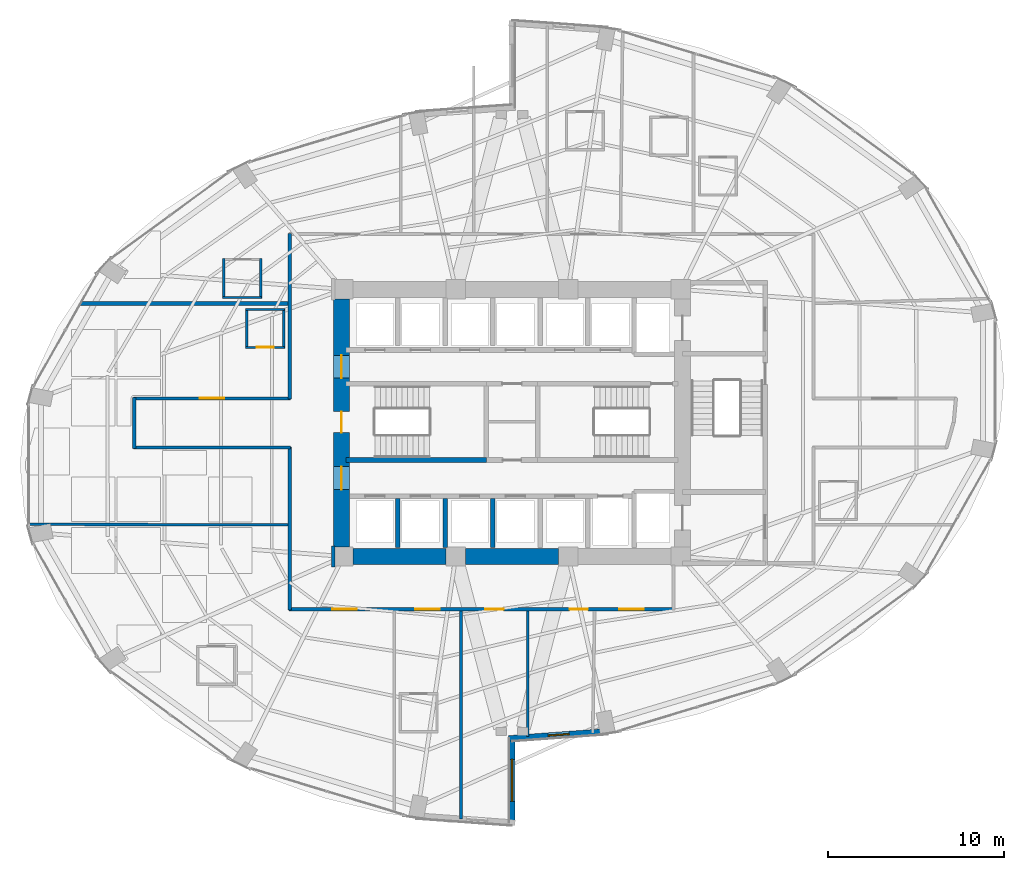
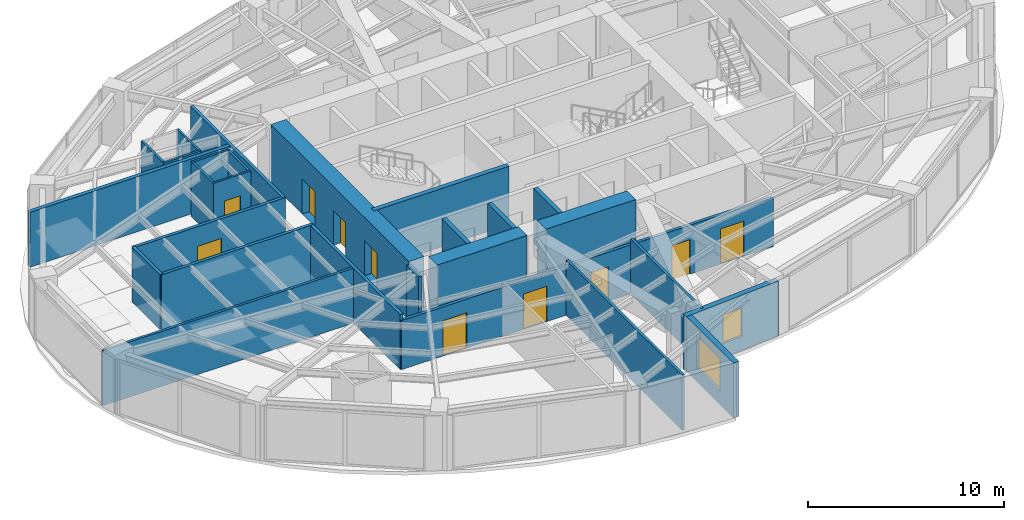
# One storey, part 20 of 25: 27 walls, 10 doors, 2 windows, 12 openings.
"""IFC4 building model written with IfcOpenShell, lengths in metres."""

from ifc_helpers import new_model, si_unit, direction, frame, frame_2d, origin, place, context, subcontext, project, spatial, rectangle, extrude, material, layer, layer_set, type_object, element, fill, save


model = new_model("IFC4")

# Units and contexts
model_context = context("Model", 3, precision=1e-05, world=origin(), true_north=direction((0.0, 1.0)))
body_context = subcontext(model_context, "Body", "Model", "MODEL_VIEW")
ifc_project = project(units=[si_unit("LENGTHUNIT", "METRE"), si_unit("AREAUNIT", "SQUARE_METRE"), si_unit("VOLUMEUNIT", "CUBIC_METRE"), si_unit("PLANEANGLEUNIT", "RADIAN"), si_unit("MASSUNIT", "GRAM", prefix="KILO")], contexts=[model_context])

# Site, building, storey
site_placement = place(None, origin())
site = spatial("IfcSite", under=ifc_project, at=site_placement, CompositionType="ELEMENT")
building_placement = place(site_placement, origin())
building = spatial("IfcBuilding", under=site, at=building_placement, Name="Lazwardi Medical Tower", CompositionType="ELEMENT")
storey_placement = place(building_placement, frame((0.0, 0.0, 32.49609375)))
storey = spatial("IfcBuildingStorey", under=building, at=storey_placement, Name="L07", CompositionType="ELEMENT", Elevation=32.49609375)

# Wall
ifc_material_1 = material(Name="Fire-rated gypsum board on steel stud", Category="steel")
ifc_layer_1 = layer(ifc_material_1, 0.179931640625)
ifc_layer_set_1 = layer_set([ifc_layer_1], Name="Fire-rated gypsum board on steel stud")
wall_type_1 = type_object("IfcWallType", Name="WL-COR-180", PredefinedType="PARTITIONING", material=ifc_layer_set_1)
wall_1_placement = place(storey_placement, frame((14.5, 26.56005859375, 0.0), z_axis=(0.0, 0.0, 1.0), x_axis=(0.0, 1.0, 0.0)))
element("IfcWall", 1, at=wall_1_placement, inside=storey, type_object=wall_type_1, Name="L07 Corridor partition 1", PredefinedType="PARTITIONING", context=body_context, shape_type="SweptSolid", body=[
    extrude(rectangle(XDim=2.8798828125, YDim=0.179931640625, at=frame_2d((1.43994140625, 0.0))), origin(), (0.0, 0.0, 1.0), 3.427978515625),
])

# Wall, opening, door
wall_2_placement = place(storey_placement, frame((14.4599609375, 29.39990234375, 0.0), z_axis=(0.0, 0.0, 1.0), x_axis=(1.0, 0.0, 0.0)))
wall_2 = element("IfcWall", 2, at=wall_2_placement, inside=storey, type_object=wall_type_1, Name="L07 Corridor partition 2", PredefinedType="PARTITIONING", context=body_context, shape_type="SweptSolid", body=[
    extrude(rectangle(XDim=8.929931640625, YDim=0.179931640625, at=frame_2d((4.46484375, 0.0))), origin(), (0.0, 0.0, 1.0), 3.427978515625),
])
opening_1_placement = place(wall_2_placement, frame((3.764892578125, 0.0, 0.0)))
opening_1 = element("IfcOpeningElement", 3, at=opening_1_placement, cuts=wall_2, Name="Opening D-L07-027", PredefinedType="OPENING", context=body_context, shape_type="SweptSolid", body=[
    extrude(rectangle(XDim=1.39990234375, YDim=2.199951171875, at=frame_2d((0.699951171875, 1.10009765625))), frame((0.0, 0.099853515625, 0.0), z_axis=(0.0, -1.0, 0.0), x_axis=(1.0, 0.0, 0.0)), (0.0, 0.0, 1.0), 0.199951171875),
])
ifc_material_2 = material(Name="Anti-microbial laminate hospital leaf")
door_type_1 = type_object("IfcDoorType", Name="DR-BED-1400", OperationType="NOTDEFINED", PredefinedType="DOOR", material=ifc_material_2)
door_1_placement = place(opening_1_placement, origin())
door_1 = element("IfcDoor", 4, at=door_1_placement, inside=storey, type_object=door_type_1, Name="L07 Inpatient Ward Door 13", OperationType="SINGLE_SWING_RIGHT", OverallHeight=2.199951171875, OverallWidth=1.39990234375, PredefinedType="DOOR", context=body_context, shape_type="SweptSolid", body=[
    extrude(rectangle(XDim=1.39990234375, YDim=2.199951171875, at=frame_2d((0.699951171875, 1.10009765625))), frame((0.0, 0.02490234375, 0.0), z_axis=(0.0, -1.0, 0.0), x_axis=(1.0, 0.0, 0.0)), (0.0, 0.0, 1.0), 0.050048828125),
])
fill(opening_1, door_1)

# Walls
wall_3_placement = place(storey_placement, frame((23.35009765625, 29.360107421875, 0.0), z_axis=(0.0, 0.0, 1.0), x_axis=(0.0, 1.0, 0.0)))
element("IfcWall", 5, at=wall_3_placement, inside=storey, type_object=wall_type_1, Name="L07 Corridor partition 3", PredefinedType="PARTITIONING", context=body_context, shape_type="SweptSolid", body=[
    extrude(rectangle(XDim=9.429931640625, YDim=0.179931640625, at=frame_2d((4.71484375, 0.0))), origin(), (0.0, 0.0, 1.0), 3.427978515625),
])
wall_4_placement = place(storey_placement, frame((25.830078125, 21.010009765625, 0.0), z_axis=(0.0, 0.0, 1.0), x_axis=(0.0, -1.0, 0.0)))
element("IfcWall", 6, at=wall_4_placement, inside=storey, type_object=wall_type_1, Name="L07 Corridor partition 13", PredefinedType="PARTITIONING", context=body_context, shape_type="SweptSolid", body=[
    extrude(rectangle(XDim=1.219970703125, YDim=0.179931640625, at=frame_2d((0.60986328125, 0.0))), origin(), (0.0, 0.0, 1.0), 3.427978515625),
])

# Wall, openings, doors
wall_5_placement = place(storey_placement, frame((45.239990234375, 17.39990234375, 0.0), z_axis=(0.0, 0.0, 1.0), x_axis=(-1.0, 0.0, 0.0)))
wall_5 = element("IfcWall", 7, at=wall_5_placement, inside=storey, type_object=wall_type_1, Name="L07 Corridor partition 15", PredefinedType="PARTITIONING", context=body_context, shape_type="SweptSolid", body=[
    extrude(rectangle(XDim=21.929931640625, YDim=0.179931640625, at=frame_2d((10.96484375, 0.0))), origin(), (0.0, 0.0, 1.0), 3.052978515625),
])
opening_2_placement = place(wall_5_placement, frame((18.075927734375, 0.0, 0.0)))
opening_2 = element("IfcOpeningElement", 8, at=opening_2_placement, cuts=wall_5, Name="Opening D-L07-015", PredefinedType="OPENING", context=body_context, shape_type="SweptSolid", body=[
    extrude(rectangle(XDim=1.39990234375, YDim=2.199951171875, at=frame_2d((0.699951171875, 1.10009765625))), frame((0.0, 0.099853515625, 0.0), z_axis=(0.0, -1.0, 0.0), x_axis=(1.0, 0.0, 0.0)), (0.0, 0.0, 1.0), 0.199951171875),
])
opening_3_placement = place(wall_5_placement, frame((13.340087890625, 0.0, 0.0)))
opening_3 = element("IfcOpeningElement", 9, at=opening_3_placement, cuts=wall_5, Name="Opening D-L07-016", PredefinedType="OPENING", context=body_context, shape_type="SweptSolid", body=[
    extrude(rectangle(XDim=1.39990234375, YDim=2.199951171875, at=frame_2d((0.699951171875, 1.10009765625))), frame((0.0, 0.099853515625, 0.0), z_axis=(0.0, -1.0, 0.0), x_axis=(1.0, 0.0, 0.0)), (0.0, 0.0, 1.0), 0.199951171875),
])
opening_4_placement = place(wall_5_placement, frame((9.715087890625, 0.0, 0.0)))
opening_4 = element("IfcOpeningElement", 10, at=opening_4_placement, cuts=wall_5, Name="Opening D-L07-017", PredefinedType="OPENING", context=body_context, shape_type="SweptSolid", body=[
    extrude(rectangle(XDim=1.050048828125, YDim=2.14990234375, at=frame_2d((0.52490234375, 1.074951171875))), frame((0.0, 0.099853515625, 0.0), z_axis=(0.0, -1.0, 0.0), x_axis=(1.0, 0.0, 0.0)), (0.0, 0.0, 1.0), 0.199951171875),
])
opening_5_placement = place(wall_5_placement, frame((4.91552734375, 0.0, 0.0)))
opening_5 = element("IfcOpeningElement", 11, at=opening_5_placement, cuts=wall_5, Name="Opening D-L07-018", PredefinedType="OPENING", context=body_context, shape_type="SweptSolid", body=[
    extrude(rectangle(XDim=1.050048828125, YDim=2.14990234375, at=frame_2d((0.52490234375, 1.074951171875))), frame((0.0, 0.099853515625, 0.0), z_axis=(0.0, -1.0, 0.0), x_axis=(1.0, 0.0, 0.0)), (0.0, 0.0, 1.0), 0.199951171875),
])
opening_6_placement = place(wall_5_placement, frame((1.7294921875, 0.0, 0.0)))
opening_6 = element("IfcOpeningElement", 12, at=opening_6_placement, cuts=wall_5, Name="Opening D-L07-019", PredefinedType="OPENING", context=body_context, shape_type="SweptSolid", body=[
    extrude(rectangle(XDim=1.39990234375, YDim=2.199951171875, at=frame_2d((0.699951171875, 1.10009765625))), frame((0.0, 0.099853515625, 0.0), z_axis=(0.0, -1.0, 0.0), x_axis=(1.0, 0.0, 0.0)), (0.0, 0.0, 1.0), 0.199951171875),
])
door_2_placement = place(opening_2_placement, origin())
door_2 = element("IfcDoor", 13, at=door_2_placement, inside=storey, type_object=door_type_1, Name="L07 Inpatient Ward Door 01", OperationType="SINGLE_SWING_LEFT", OverallHeight=2.199951171875, OverallWidth=1.39990234375, PredefinedType="DOOR", context=body_context, shape_type="SweptSolid", body=[
    extrude(rectangle(XDim=1.39990234375, YDim=2.199951171875, at=frame_2d((0.699951171875, 1.10009765625))), frame((0.0, 0.02490234375, 0.0), z_axis=(0.0, -1.0, 0.0), x_axis=(1.0, 0.0, 0.0)), (0.0, 0.0, 1.0), 0.050048828125),
])
fill(opening_2, door_2)
door_3_placement = place(opening_3_placement, origin())
door_3 = element("IfcDoor", 14, at=door_3_placement, inside=storey, type_object=door_type_1, Name="L07 Inpatient Ward Door 02", OperationType="SINGLE_SWING_LEFT", OverallHeight=2.199951171875, OverallWidth=1.39990234375, PredefinedType="DOOR", context=body_context, shape_type="SweptSolid", body=[
    extrude(rectangle(XDim=1.39990234375, YDim=2.199951171875, at=frame_2d((0.699951171875, 1.10009765625))), frame((0.0, 0.02490234375, 0.0), z_axis=(0.0, -1.0, 0.0), x_axis=(1.0, 0.0, 0.0)), (0.0, 0.0, 1.0), 0.050048828125),
])
fill(opening_3, door_3)
door_4_placement = place(opening_6_placement, origin())
door_4 = element("IfcDoor", 15, at=door_4_placement, inside=storey, type_object=door_type_1, Name="L07 Inpatient Ward Door 05", OperationType="SINGLE_SWING_RIGHT", OverallHeight=2.199951171875, OverallWidth=1.39990234375, PredefinedType="DOOR", context=body_context, shape_type="SweptSolid", body=[
    extrude(rectangle(XDim=1.39990234375, YDim=2.199951171875, at=frame_2d((0.699951171875, 1.10009765625))), frame((0.0, 0.02490234375, 0.0), z_axis=(0.0, -1.0, 0.0), x_axis=(1.0, 0.0, 0.0)), (0.0, 0.0, 1.0), 0.050048828125),
])
fill(opening_6, door_4)
door_type_2 = type_object("IfcDoorType", Name="DR-CLN-1050", OperationType="NOTDEFINED", PredefinedType="DOOR", material=ifc_material_2)
door_5_placement = place(opening_4_placement, origin())
door_5 = element("IfcDoor", 16, at=door_5_placement, inside=storey, type_object=door_type_2, Name="L07 Outpatient Clinic Door 03", OperationType="SINGLE_SWING_RIGHT", OverallHeight=2.14990234375, OverallWidth=1.050048828125, PredefinedType="DOOR", context=body_context, shape_type="SweptSolid", body=[
    extrude(rectangle(XDim=1.050048828125, YDim=2.14990234375, at=frame_2d((0.52490234375, 1.074951171875))), frame((0.0, 0.02490234375, 0.0), z_axis=(0.0, -1.0, 0.0), x_axis=(1.0, 0.0, 0.0)), (0.0, 0.0, 1.0), 0.050048828125),
])
fill(opening_4, door_5)
door_6_placement = place(opening_5_placement, origin())
door_6 = element("IfcDoor", 17, at=door_6_placement, inside=storey, type_object=door_type_2, Name="L07 Patient Day Lounge Door 04", OperationType="SINGLE_SWING_LEFT", OverallHeight=2.14990234375, OverallWidth=1.050048828125, PredefinedType="DOOR", context=body_context, shape_type="SweptSolid", body=[
    extrude(rectangle(XDim=1.050048828125, YDim=2.14990234375, at=frame_2d((0.52490234375, 1.074951171875))), frame((0.0, 0.02490234375, 0.0), z_axis=(0.0, -1.0, 0.0), x_axis=(1.0, 0.0, 0.0)), (0.0, 0.0, 1.0), 0.050048828125),
])
fill(opening_5, door_6)

# Walls
wall_6_placement = place(storey_placement, frame((23.35009765625, 17.360107421875, 0.0), z_axis=(0.0, 0.0, 1.0), x_axis=(0.0, 1.0, 0.0)))
element("IfcWall", 18, at=wall_6_placement, inside=storey, type_object=wall_type_1, Name="L07 Corridor partition 16", PredefinedType="PARTITIONING", context=body_context, shape_type="SweptSolid", body=[
    extrude(rectangle(XDim=9.27978515625, YDim=0.179931640625, at=frame_2d((4.639892578125, 0.0))), origin(), (0.0, 0.0, 1.0), 3.427978515625),
])
wall_7_placement = place(storey_placement, frame((23.389892578125, 26.60009765625, 0.0), z_axis=(0.0, 0.0, 1.0), x_axis=(-1.0, 0.0, 0.0)))
element("IfcWall", 19, at=wall_7_placement, inside=storey, type_object=wall_type_1, Name="L07 Corridor partition 17", PredefinedType="PARTITIONING", context=body_context, shape_type="SweptSolid", body=[
    extrude(rectangle(XDim=8.929931640625, YDim=0.179931640625, at=frame_2d((4.46484375, 0.0))), origin(), (0.0, 0.0, 1.0), 3.427978515625),
])

# Wall, openings, doors
ifc_material_3 = material(Name="Concrete C80/95", Category="concrete")
ifc_layer_2 = layer(ifc_material_3, 0.89990234375)
ifc_layer_set_2 = layer_set([ifc_layer_2], Name="Concrete C80/95")
wall_type_2 = type_object("IfcWallType", Name="WL-CORE-900", PredefinedType="SHEAR", material=ifc_layer_set_2)
wall_8_placement = place(storey_placement, frame((26.300048828125, 20.949951171875, 0.0), z_axis=(0.0, 0.0, 1.0), x_axis=(0.0, 1.0, 0.0)))
wall_8 = element("IfcWall", 20, at=wall_8_placement, inside=storey, type_object=wall_type_2, Name="Core wall CW-S1 west L07", PredefinedType="SHEAR", context=body_context, shape_type="SweptSolid", body=[
    extrude(rectangle(XDim=14.10009765625, YDim=0.89990234375, at=frame_2d((7.050048828125, 0.0))), origin(), (0.0, 0.0, 1.0), 3.64794921875),
])
opening_7_placement = place(wall_8_placement, frame((6.5, 0.0, 0.0)))
opening_7 = element("IfcOpeningElement", 21, at=opening_7_placement, cuts=wall_8, Name="Opening D-L07-028", PredefinedType="OPENING", context=body_context, shape_type="SweptSolid", body=[
    extrude(rectangle(XDim=1.199951171875, YDim=2.14990234375, at=frame_2d((0.60009765625, 1.074951171875))), frame((0.0, 0.4599609375, 0.0), z_axis=(0.0, -1.0, 0.0), x_axis=(1.0, 0.0, 0.0)), (0.0, 0.0, 1.0), 0.919921875),
])
opening_8_placement = place(wall_8_placement, frame((9.60009765625, 0.0, 0.0)))
opening_8 = element("IfcOpeningElement", 22, at=opening_8_placement, cuts=wall_8, Name="Opening D-L07-013", PredefinedType="OPENING", context=body_context, shape_type="SweptSolid", body=[
    extrude(rectangle(XDim=1.300048828125, YDim=2.199951171875, at=frame_2d((0.64990234375, 1.10009765625))), frame((0.0, 0.4599609375, 0.0), z_axis=(0.0, -1.0, 0.0), x_axis=(1.0, 0.0, 0.0)), (0.0, 0.0, 1.0), 0.919921875),
])
opening_9_placement = place(wall_8_placement, frame((3.260009765625, 0.0, 0.0)))
opening_9 = element("IfcOpeningElement", 23, at=opening_9_placement, cuts=wall_8, Name="Opening D-L07-014", PredefinedType="OPENING", context=body_context, shape_type="SweptSolid", body=[
    extrude(rectangle(XDim=1.300048828125, YDim=2.199951171875, at=frame_2d((0.64990234375, 1.10009765625))), frame((0.0, 0.4599609375, 0.0), z_axis=(0.0, -1.0, 0.0), x_axis=(1.0, 0.0, 0.0)), (0.0, 0.0, 1.0), 0.919921875),
])
ifc_material_4 = material(Name="Fire-rated steel leaf and frame", Category="steel")
door_type_3 = type_object("IfcDoorType", Name="DR-FFL-1300", OperationType="NOTDEFINED", PredefinedType="DOOR", material=ifc_material_4)
door_7_placement = place(opening_8_placement, origin())
door_7 = element("IfcDoor", 24, at=door_7_placement, inside=storey, type_object=door_type_3, Name="L07 North Lift Lobby Door", OperationType="SINGLE_SWING_LEFT", OverallHeight=2.199951171875, OverallWidth=1.300048828125, PredefinedType="DOOR", context=body_context, shape_type="SweptSolid", body=[
    extrude(rectangle(XDim=1.300048828125, YDim=2.199951171875, at=frame_2d((0.64990234375, 1.10009765625))), frame((0.0, 0.02490234375, 0.0), z_axis=(0.0, -1.0, 0.0), x_axis=(1.0, 0.0, 0.0)), (0.0, 0.0, 1.0), 0.050048828125),
])
fill(opening_8, door_7)
door_8_placement = place(opening_9_placement, origin())
door_8 = element("IfcDoor", 25, at=door_8_placement, inside=storey, type_object=door_type_3, Name="L07 South Lift Lobby Door", OperationType="SINGLE_SWING_RIGHT", OverallHeight=2.199951171875, OverallWidth=1.300048828125, PredefinedType="DOOR", context=body_context, shape_type="SweptSolid", body=[
    extrude(rectangle(XDim=1.300048828125, YDim=2.199951171875, at=frame_2d((0.64990234375, 1.10009765625))), frame((0.0, 0.02490234375, 0.0), z_axis=(0.0, -1.0, 0.0), x_axis=(1.0, 0.0, 0.0)), (0.0, 0.0, 1.0), 0.050048828125),
])
fill(opening_9, door_8)
door_type_4 = type_object("IfcDoorType", Name="DR-STR-1200", OperationType="NOTDEFINED", PredefinedType="DOOR", material=ifc_material_4)
door_9_placement = place(opening_7_placement, origin())
door_9 = element("IfcDoor", 26, at=door_9_placement, inside=storey, type_object=door_type_4, Name="L07 Exit Stair ST1 Door", OperationType="SINGLE_SWING_LEFT", OverallHeight=2.14990234375, OverallWidth=1.199951171875, PredefinedType="DOOR", context=body_context, shape_type="SweptSolid", body=[
    extrude(rectangle(XDim=1.199951171875, YDim=2.14990234375, at=frame_2d((0.60009765625, 1.074951171875))), frame((0.0, 0.02490234375, 0.0), z_axis=(0.0, -1.0, 0.0), x_axis=(1.0, 0.0, 0.0)), (0.0, 0.0, 1.0), 0.050048828125),
])
fill(opening_7, door_9)

# Walls
wall_9_placement = place(storey_placement, frame((26.949951171875, 20.39990234375, 0.0), z_axis=(0.0, 0.0, 1.0), x_axis=(1.0, 0.0, 0.0)))
element("IfcWall", 27, at=wall_9_placement, inside=storey, type_object=wall_type_2, Name="Core wall CW-S1 S1 L07", PredefinedType="SHEAR", context=body_context, shape_type="SweptSolid", body=[
    extrude(rectangle(XDim=5.300048828125, YDim=0.89990234375, at=frame_2d((2.64990234375, 0.0))), origin(), (0.0, 0.0, 1.0), 3.64794921875),
])
wall_10_placement = place(storey_placement, frame((33.35009765625, 20.39990234375, 0.0), z_axis=(0.0, 0.0, 1.0), x_axis=(1.0, 0.0, 0.0)))
element("IfcWall", 28, at=wall_10_placement, inside=storey, type_object=wall_type_2, Name="Core wall CW-S1 S2 L07", PredefinedType="SHEAR", context=body_context, shape_type="SweptSolid", body=[
    extrude(rectangle(XDim=5.2998046875, YDim=0.89990234375, at=frame_2d((2.64990234375, 0.0))), origin(), (0.0, 0.0, 1.0), 3.64794921875),
])
ifc_material_5 = material(Name="Moisture-resistant gypsum board partition")
ifc_layer_3 = layer(ifc_material_5, 0.125)
ifc_layer_set_3 = layer_set([ifc_layer_3], Name="Moisture-resistant gypsum board partition")
wall_type_3 = type_object("IfcWallType", Name="WL-ENS-125", PredefinedType="PARTITIONING", material=ifc_layer_set_3)
wall_11_placement = place(storey_placement, frame((19.53759765625, 35.139892578125, 0.0), z_axis=(0.0, 0.0, 1.0), x_axis=(1.0, 0.0, 0.0)))
element("IfcWall", 29, at=wall_11_placement, inside=storey, type_object=wall_type_3, Name="L07 En-suite wall 12S", PredefinedType="PARTITIONING", context=body_context, shape_type="SweptSolid", body=[
    extrude(rectangle(XDim=2.219970703125, YDim=0.125, at=frame_2d((1.10986328125, 0.0))), origin(), (0.0, 0.0, 1.0), 3.427978515625),
])
for number, where, z_axis, x_axis, name in (
    (30, (21.697509765625, 35.080078125, 0.0), (0.0, 0.0, 1.0), (0.0, 1.0, 0.0), "L07 En-suite wall 12E"),
    (31, (19.597412109375, 35.080078125, 0.0), (0.0, 0.0, 1.0), (0.0, 1.0, 0.0), "L07 En-suite wall 12W"),
):
    element("IfcWall", number, at=place(storey_placement, frame(where, z_axis=z_axis, x_axis=x_axis)), inside=storey, type_object=wall_type_3, Name=name, PredefinedType="PARTITIONING", context=body_context, shape_type="SweptSolid", body=[
        extrude(rectangle(XDim=2.280029296875, YDim=0.125, at=frame_2d((1.14013671875, 0.0))), origin(), (0.0, 0.0, 1.0), 3.427978515625),
    ])
wall_12_placement = place(storey_placement, frame((20.844970703125, 34.4599609375, 0.0), z_axis=(0.0, 0.0, 1.0), x_axis=(1.0, 0.0, 0.0)))
element("IfcWall", 32, at=wall_12_placement, inside=storey, type_object=wall_type_3, Name="L07 En-suite wall 13N", PredefinedType="PARTITIONING", context=body_context, shape_type="SweptSolid", body=[
    extrude(rectangle(XDim=2.219970703125, YDim=0.125, at=frame_2d((1.10986328125, 0.0))), origin(), (0.0, 0.0, 1.0), 3.427978515625),
])

# Wall, opening, door
wall_13_placement = place(storey_placement, frame((20.844970703125, 32.300048828125, 0.0), z_axis=(0.0, 0.0, 1.0), x_axis=(1.0, 0.0, 0.0)))
wall_13 = element("IfcWall", 33, at=wall_13_placement, inside=storey, type_object=wall_type_3, Name="L07 En-suite wall 13S", PredefinedType="PARTITIONING", context=body_context, shape_type="SweptSolid", body=[
    extrude(rectangle(XDim=2.219970703125, YDim=0.125, at=frame_2d((1.10986328125, 0.0))), origin(), (0.0, 0.0, 1.0), 3.427978515625),
])
opening_10_placement = place(wall_13_placement, frame((0.635009765625, 0.0, 0.0)))
opening_10 = element("IfcOpeningElement", 34, at=opening_10_placement, cuts=wall_13, Name="Opening D-L07-010", PredefinedType="OPENING", context=body_context, shape_type="SweptSolid", body=[
    extrude(rectangle(XDim=0.949951171875, YDim=2.10009765625, at=frame_2d((0.47509765625, 1.050048828125))), frame((0.0, 0.072509765625, 0.0), z_axis=(0.0, -1.0, 0.0), x_axis=(1.0, 0.0, 0.0)), (0.0, 0.0, 1.0), 0.14501953125),
])
ifc_material_6 = material(Name="Moisture-resistant laminate door leaf")
door_type_5 = type_object("IfcDoorType", Name="DR-ENS-950", OperationType="NOTDEFINED", PredefinedType="DOOR", material=ifc_material_6)
door_10_placement = place(opening_10_placement, origin())
door_10 = element("IfcDoor", 35, at=door_10_placement, inside=storey, type_object=door_type_5, Name="L07 En-suite Door 13", OperationType="SINGLE_SWING_LEFT", OverallHeight=2.10009765625, OverallWidth=0.949951171875, PredefinedType="DOOR", context=body_context, shape_type="SweptSolid", body=[
    extrude(rectangle(XDim=0.949951171875, YDim=2.10009765625, at=frame_2d((0.47509765625, 1.050048828125))), frame((0.0, 0.02490234375, 0.0), z_axis=(0.0, -1.0, 0.0), x_axis=(1.0, 0.0, 0.0)), (0.0, 0.0, 1.0), 0.050048828125),
])
fill(opening_10, door_10)

# Walls
for number, where, z_axis, x_axis, name in (
    (36, (23.0048828125, 32.239990234375, 0.0), (0.0, 0.0, 1.0), (0.0, 1.0, 0.0), "L07 En-suite wall 13E"),
    (37, (20.905029296875, 32.239990234375, 0.0), (0.0, 0.0, 1.0), (0.0, 1.0, 0.0), "L07 En-suite wall 13W"),
):
    element("IfcWall", number, at=place(storey_placement, frame(where, z_axis=z_axis, x_axis=x_axis)), inside=storey, type_object=wall_type_3, Name=name, PredefinedType="PARTITIONING", context=body_context, shape_type="SweptSolid", body=[
        extrude(rectangle(XDim=2.280029296875, YDim=0.125, at=frame_2d((1.14013671875, 0.0))), origin(), (0.0, 0.0, 1.0), 3.427978515625),
    ])

# Wall, opening, window
ifc_material_7 = material(Name="Precast concrete C45/55", Category="concrete")
ifc_layer_4 = layer(ifc_material_7, 0.320068359375)
ifc_layer_set_4 = layer_set([ifc_layer_4], Name="Precast concrete C45/55")
wall_type_4 = type_object("IfcWallType", Name="WL-IWAN-320", PredefinedType="SOLIDWALL", material=ifc_layer_set_4)
wall_14_placement = place(storey_placement, frame((35.820556640625, 10.047119140625, 0.0), z_axis=(0.0, 0.0, 1.0), x_axis=(0.997422321809, 0.071754525696, 0.0)))
wall_14 = element("IfcWall", 38, at=wall_14_placement, inside=storey, type_object=wall_type_4, Name="L07 Iwan Portal Return Wall SE_ret", PredefinedType="SOLIDWALL", context=body_context, shape_type="SweptSolid", body=[
    extrude(rectangle(XDim=5.67529296875, YDim=0.320068359375, at=frame_2d((2.837646484375, 0.0))), origin(), (0.0, 0.0, 1.0), 3.427978515625),
])
opening_11_placement = place(wall_14_placement, frame((2.23779296875, 0.0, 0.85009765625)))
opening_11 = element("IfcOpeningElement", 39, at=opening_11_placement, cuts=wall_14, Name="Opening WN-04", PredefinedType="OPENING", context=body_context, shape_type="SweptSolid", body=[
    extrude(rectangle(XDim=1.199951171875, YDim=1.800048828125, at=frame_2d((0.60009765625, 0.89990234375))), frame((0.0, 0.169921875, 0.0), z_axis=(0.0, -1.0, 0.0), x_axis=(1.0, 0.0, 0.0)), (0.0, 0.0, 1.0), 0.340087890625),
])
ifc_material_8 = material(Name="Low-e bronze solar control double glazing", Category="glass")
window_type_1 = type_object("IfcWindowType", Name="WIN-DRUM-1200", PartitioningType="SINGLE_PANEL", PredefinedType="WINDOW", material=ifc_material_8)
window_1_placement = place(opening_11_placement, origin())
window_1 = element("IfcWindow", 40, at=window_1_placement, inside=storey, type_object=window_type_1, Name="L07 Iwan Slot Window SE_ret", OverallHeight=1.800048828125, OverallWidth=1.199951171875, PartitioningType="SINGLE_PANEL", PredefinedType="WINDOW", context=body_context, shape_type="SweptSolid", body=[
    extrude(rectangle(XDim=1.199951171875, YDim=1.800048828125, at=frame_2d((0.60009765625, 0.89990234375))), frame((0.0, 0.030029296875, 0.0), z_axis=(0.0, -1.0, 0.0), x_axis=(1.0, 0.0, 0.0)), (0.0, 0.0, 1.0), 0.06005859375),
])
fill(opening_11, window_1)

wall_15_placement = place(storey_placement, frame((36.0, 5.10009765625, 0.0), z_axis=(0.0, 0.0, 1.0), x_axis=(0.0, 1.0, 0.0)))
wall_15 = element("IfcWall", 41, at=wall_15_placement, inside=storey, type_object=wall_type_4, Name="L07 Turquoise Tilework Iwan Seam Wall S_seam", PredefinedType="SOLIDWALL", context=body_context, shape_type="SweptSolid", body=[
    extrude(rectangle(XDim=5.119873046875, YDim=0.320068359375, at=frame_2d((2.56005859375, 0.0))), origin(), (0.0, 0.0, 1.0), 3.427978515625),
])
opening_12_placement = place(wall_15_placement, frame((1.360107421875, 0.0, 0.840087890625)))
opening_12 = element("IfcOpeningElement", 42, at=opening_12_placement, cuts=wall_15, Name="Opening WN-02", PredefinedType="OPENING", context=body_context, shape_type="SweptSolid", body=[
    extrude(rectangle(XDim=2.39990234375, YDim=2.0400390625, at=frame_2d((1.199951171875, 1.02001953125))), frame((0.0, 0.169921875, 0.0), z_axis=(0.0, -1.0, 0.0), x_axis=(1.0, 0.0, 0.0)), (0.0, 0.0, 1.0), 0.340087890625),
])
window_type_2 = type_object("IfcWindowType", Name="WIN-IW-2400", PartitioningType="SINGLE_PANEL", PredefinedType="WINDOW", material=ifc_material_8)
window_2_placement = place(opening_12_placement, origin())
window_2 = element("IfcWindow", 43, at=window_2_placement, inside=storey, type_object=window_type_2, Name="L07 Iwan Seam Window S_seam", OverallHeight=2.0400390625, OverallWidth=2.39990234375, PartitioningType="SINGLE_PANEL", PredefinedType="WINDOW", context=body_context, shape_type="SweptSolid", body=[
    extrude(rectangle(XDim=2.39990234375, YDim=2.0400390625, at=frame_2d((1.199951171875, 1.02001953125))), frame((0.0, 0.030029296875, 0.0), z_axis=(0.0, -1.0, 0.0), x_axis=(1.0, 0.0, 0.0)), (0.0, 0.0, 1.0), 0.06005859375),
])
fill(opening_12, window_2)

# Walls
ifc_material_9 = material(Name="Autoclaved aerated concrete blockwork", Category="masonry")
ifc_layer_5 = layer(ifc_material_9, 0.25)
ifc_layer_set_5 = layer_set([ifc_layer_5], Name="Autoclaved aerated concrete blockwork")
wall_type_5 = type_object("IfcWallType", Name="WL-SHAFT-250", PredefinedType="SOLIDWALL", material=ifc_layer_set_5)
for number, where, z_axis, x_axis, name in (
    (44, (29.5, 20.89990234375, 0.0), (0.0, 0.0, 1.0), (0.0, 1.0, 0.0), "L07 South hoistway divider"),
    (45, (32.199951171875, 20.89990234375, 0.0), (0.0, 0.0, 1.0), (0.0, 1.0, 0.0), "L07 South hoistway divider"),
    (46, (34.89990234375, 20.89990234375, 0.0), (0.0, 0.0, 1.0), (0.0, 1.0, 0.0), "L07 South hoistway divider"),
):
    element("IfcWall", number, at=place(storey_placement, frame(where, z_axis=z_axis, x_axis=x_axis)), inside=storey, type_object=wall_type_5, Name=name, PredefinedType="SOLIDWALL", context=body_context, shape_type="SweptSolid", body=[
        extrude(rectangle(XDim=2.800048828125, YDim=0.25, at=frame_2d((1.39990234375, 0.0))), origin(), (0.0, 0.0, 1.0), 3.427978515625),
    ])
ifc_layer_6 = layer(ifc_material_1, 0.219970703125)
ifc_layer_set_6 = layer_set([ifc_layer_6], Name="Fire-rated gypsum board on steel stud")
wall_type_6 = type_object("IfcWallType", Name="WL-SMK-220", PredefinedType="PARTITIONING", material=ifc_layer_set_6)
wall_16_placement = place(storey_placement, frame((11.45068359375, 34.800048828125, 0.0), z_axis=(0.0, 0.0, 1.0), x_axis=(1.0, 0.0, 0.0)))
element("IfcWall", 47, at=wall_16_placement, inside=storey, type_object=wall_type_6, Name="L07 Room partition 2", PredefinedType="PARTITIONING", context=body_context, shape_type="SweptSolid", body=[
    extrude(rectangle(XDim=11.809326171875, YDim=0.219970703125, at=frame_2d((5.90478515625, 0.0))), origin(), (0.0, 0.0, 1.0), 3.427978515625),
])
ifc_material_10 = material(Name="Concrete C50/60", Category="concrete")
ifc_layer_7 = layer(ifc_material_10, 0.27001953125)
ifc_layer_set_7 = layer_set([ifc_layer_7], Name="Concrete C50/60")
wall_type_7 = type_object("IfcWallType", Name="WL-STR-250", PredefinedType="SHEAR", material=ifc_layer_set_7)
wall_17_placement = place(storey_placement, frame((26.550048828125, 25.885009765625, 0.0), z_axis=(0.0, 0.0, 1.0), x_axis=(1.0, 0.0, 0.0)))
element("IfcWall", 48, at=wall_17_placement, inside=storey, type_object=wall_type_7, Name="L07 ST1 South shear shaft wall SW-S1", PredefinedType="SHEAR", context=body_context, shape_type="SweptSolid", body=[
    extrude(rectangle(XDim=7.98486328125, YDim=0.27001953125, at=frame_2d((3.992431640625, 0.0))), origin(), (0.0, 0.0, 1.0), 3.64794921875),
])
ifc_material_11 = material(Name="Acoustic gypsum board partition")
ifc_layer_8 = layer(ifc_material_11, 0.14990234375)
ifc_layer_set_8 = layer_set([ifc_layer_8], Name="Acoustic gypsum board partition")
wall_type_8 = type_object("IfcWallType", Name="WL-WRD-150", PredefinedType="PARTITIONING", material=ifc_layer_set_8)
wall_18_placement = place(storey_placement, frame((8.492919921875, 22.2314453125, 0.0), z_axis=(0.0, 0.0, 1.0), x_axis=(0.999997760873, -0.002116187438, 0.0)))
element("IfcWall", 49, at=wall_18_placement, inside=storey, type_object=wall_type_8, Name="L07 Room partition 1", PredefinedType="PARTITIONING", context=body_context, shape_type="SweptSolid", body=[
    extrude(rectangle(XDim=14.76708984375, YDim=0.14990234375, at=frame_2d((7.383544921875, 0.0))), origin(), (0.0, 0.0, 1.0), 3.427978515625),
])
wall_19_placement = place(storey_placement, frame((33.10009765625, 5.47119140625, 0.0), z_axis=(0.0, 0.0, 1.0), x_axis=(0.0, 1.0, 0.0)))
element("IfcWall", 50, at=wall_19_placement, inside=storey, type_object=wall_type_8, Name="L07 Room partition 11", PredefinedType="PARTITIONING", context=body_context, shape_type="SweptSolid", body=[
    extrude(rectangle(XDim=11.8388671875, YDim=0.14990234375, at=frame_2d((5.91943359375, 0.0))), origin(), (0.0, 0.0, 1.0), 3.427978515625),
])
wall_20_placement = place(storey_placement, frame((36.89990234375, 10.149658203125, 0.0), z_axis=(0.0, 0.0, 1.0), x_axis=(0.0, 1.0, 0.0)))
element("IfcWall", 51, at=wall_20_placement, inside=storey, type_object=wall_type_8, Name="L07 Room partition 12", PredefinedType="PARTITIONING", context=body_context, shape_type="SweptSolid", body=[
    extrude(rectangle(XDim=7.160400390625, YDim=0.14990234375, at=frame_2d((3.580078125, 0.0))), origin(), (0.0, 0.0, 1.0), 3.427978515625),
])

save(model, "model.ifc")
